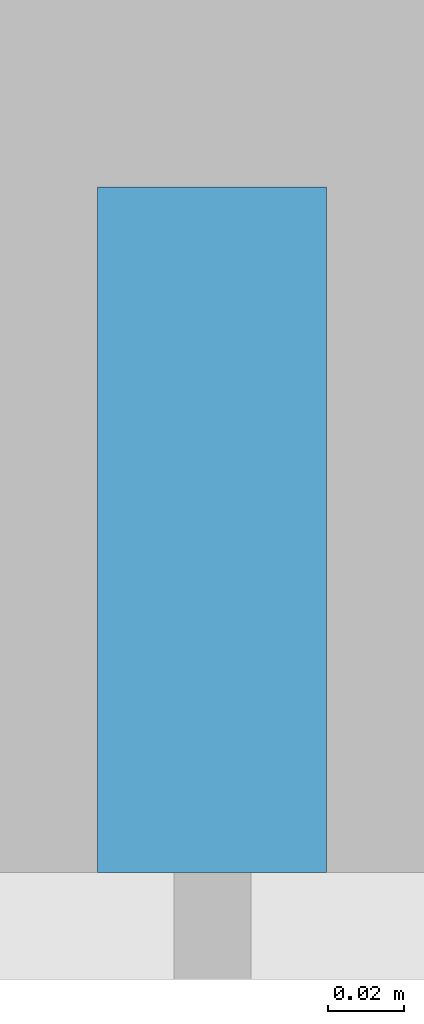
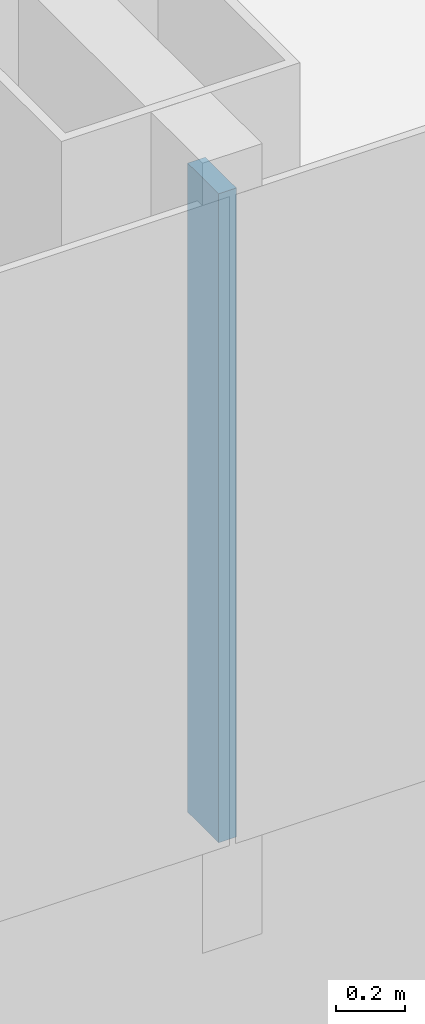
# One storey, part 6 of 29: 1 member, 1 element without a shape of its own.
"""IFC4 building model written with IfcOpenShell, lengths in metres."""

from ifc_helpers import new_model, si_unit, direction, frame, origin, origin_2d, place, context, subcontext, project, spatial, rectangle, extrude, material, layer, layer_set, material_profile, profile_set, type_object, element, aggregate, save


model = new_model("IFC4")

# Units and contexts
model_context = context("Model", 3, precision=1e-05, world=origin(), true_north=direction((0.0, 1.0)))
body_context = subcontext(model_context, "Body", "Model", "MODEL_VIEW")
ifc_project = project(units=[si_unit("LENGTHUNIT", "METRE"), si_unit("AREAUNIT", "SQUARE_METRE"), si_unit("VOLUMEUNIT", "CUBIC_METRE"), si_unit("PLANEANGLEUNIT", "RADIAN"), si_unit("MASSUNIT", "GRAM", prefix="KILO")], contexts=[model_context])

# Site, building, storey
site_placement = place(None, origin())
site = spatial("IfcSite", under=ifc_project, at=site_placement, CompositionType="ELEMENT")
building_placement = place(site_placement, origin())
building = spatial("IfcBuilding", under=site, at=building_placement, Name="Hakoniwa Tower and Hamabe Station Hall", CompositionType="ELEMENT")
storey_placement = place(building_placement, frame((0.0, 0.0, 88.199951171875)))
storey = spatial("IfcBuildingStorey", under=building, at=storey_placement, Name="L24", CompositionType="ELEMENT", Elevation=88.199951171875)

# Curtain wall, member
ifc_material_1 = material(Name="Dark low-e laminated glass", Category="glass")
ifc_layer = layer(ifc_material_1, 0.199951171875)
ifc_layer_set = layer_set([ifc_layer], Name="CW-1 UNITISED GUEST")
curtain_wall_type = type_object("IfcCurtainWallType", Name="CW-1 UNITISED GUEST", PredefinedType="NOTDEFINED", material=ifc_layer_set)
curtain_wall_placement = place(storey_placement, origin())
curtain_wall = element("IfcCurtainWall", 1, at=curtain_wall_placement, inside=storey, type_object=curtain_wall_type, Name="CW-1 curtain wall", PredefinedType="NOTDEFINED")
ifc_material_2 = material(Name="Aluminium 6063-T5 black anodised", Category="aluminium")
ifc_material_profile = material_profile(ifc_material_2, rectangle(XDim=0.06005859375, YDim=0.179931640625, at=origin_2d()), Name="CW-1 MULLION 60X180")
ifc_profile_set = profile_set([ifc_material_profile], Name="Aluminium 6063-T5 black anodised")
member_type = type_object("IfcMemberType", Name="CW-1 MULLION 60X180", PredefinedType="MULLION", material=ifc_profile_set)
member_placement = place(storey_placement, frame((8.39990234375, -15.431884765625, 0.35009765625), z_axis=(0.0, 0.0, 1.0), x_axis=(1.0, 0.0, 0.0)))
member = element("IfcMember", 2, at=member_placement, type_object=member_type, Name="CW-1 mullion", PredefinedType="MULLION", context=body_context, shape_type="SweptSolid", body=[
    extrude(rectangle(XDim=0.06005859375, YDim=0.179931640625, at=origin_2d()), origin(), (0.0, 0.0, 1.0), 2.300048828125),
])
aggregate(curtain_wall, [member])

save(model, "model.ifc")
